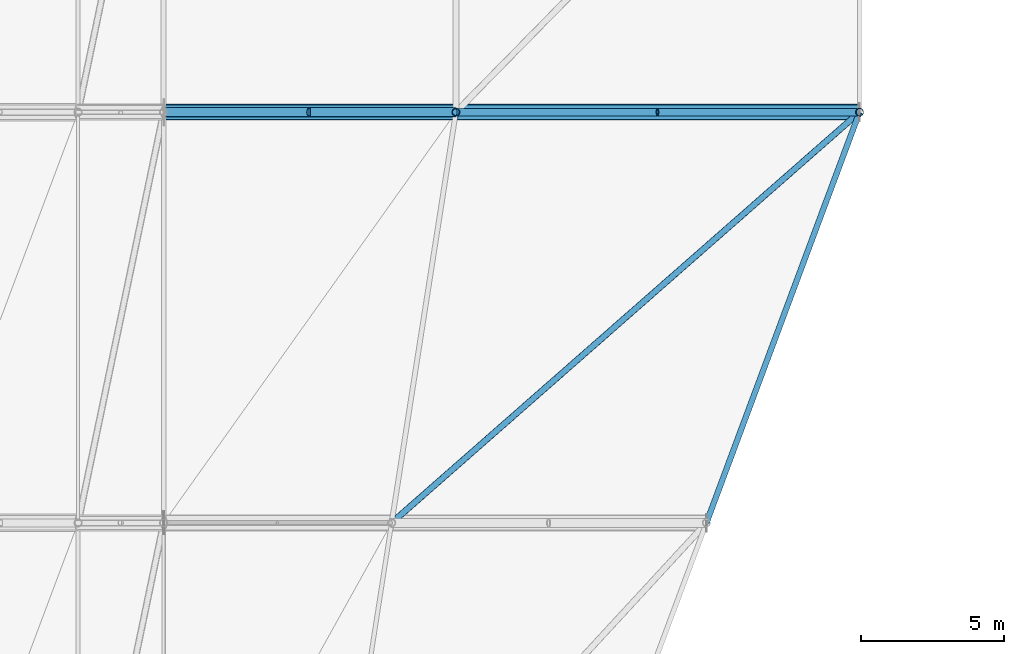
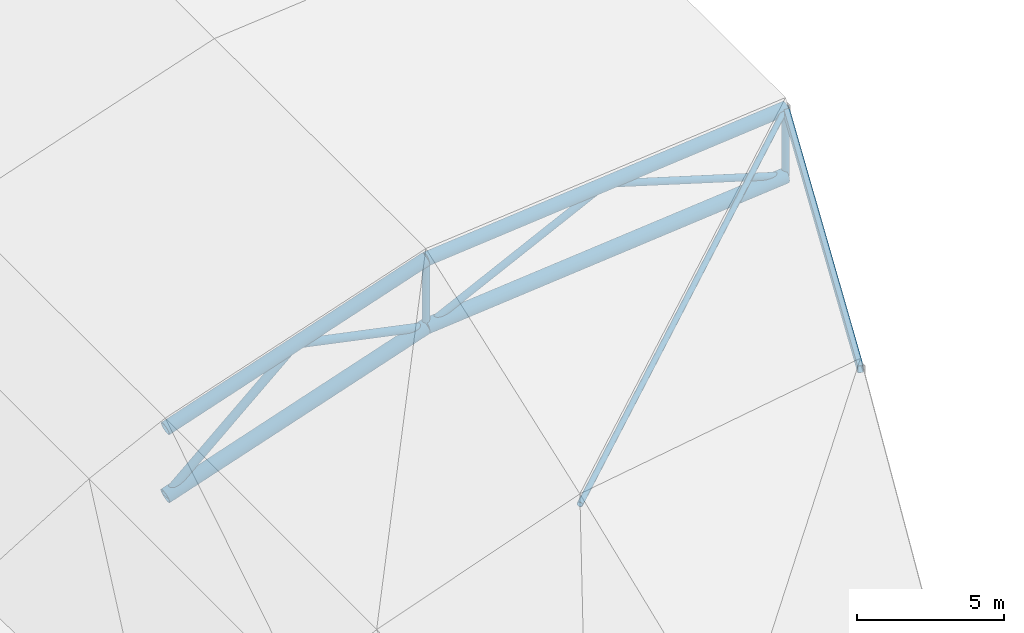
# One storey, part 5 of 36: 12 members.
"""IFC4 building model written with IfcOpenShell, lengths in metres."""

from ifc_helpers import new_model, si_unit, direction, frame, origin, origin_2d, place, context, subcontext, project, spatial, hollow_rectangle, hollow_circle, extrude, material, material_profile, profile_set, type_object, element, save


model = new_model("IFC4")

# Units and contexts
model_context = context("Model", 3, precision=1e-05, world=origin(), true_north=direction((0.0, 1.0)))
body_context = subcontext(model_context, "Body", "Model", "MODEL_VIEW")
ifc_project = project(units=[si_unit("LENGTHUNIT", "METRE"), si_unit("AREAUNIT", "SQUARE_METRE"), si_unit("VOLUMEUNIT", "CUBIC_METRE"), si_unit("PLANEANGLEUNIT", "RADIAN"), si_unit("MASSUNIT", "GRAM", prefix="KILO")], contexts=[model_context])

# Site, building, storey
site_placement = place(None, origin())
site = spatial("IfcSite", under=ifc_project, at=site_placement, CompositionType="ELEMENT")
building_placement = place(site_placement, origin())
building = spatial("IfcBuilding", under=site, at=building_placement, Name="Koshinbarg Plaza Stadium", CompositionType="ELEMENT")
storey_placement = place(building_placement, frame((0.0, 0.0, 34.199951171875)))
storey = spatial("IfcBuildingStorey", under=building, at=storey_placement, Name="RF", CompositionType="ELEMENT", Elevation=34.199951171875)

# Members
ifc_material = material(Name="Steel S355", Category="steel")
ifc_material_profile_1 = material_profile(ifc_material, hollow_circle(Radius=0.279541015625, WallThickness=0.022216796875, at=origin_2d()), Name="CHS 559x22.2")
ifc_profile_set_1 = profile_set([ifc_material_profile_1], Name="Steel S355")
member_type_1 = type_object("IfcMemberType", Name="MB-ARCH-BOT", PredefinedType="CHORD", material=ifc_profile_set_1)
member_1_placement = place(storey_placement, frame((54.60009765625, 54.300048828125, -0.0400390625), z_axis=(0.947427718422, 0.0, 0.319969871027), x_axis=(0.0, 1.0, 0.0)))
element("IfcMember", 1, at=member_1_placement, inside=storey, type_object=member_type_1, Name="Quarter-barrel roof truss bottom chord WRB-03-3", PredefinedType="CHORD", context=body_context, shape_type="SweptSolid", body=[
    extrude(hollow_circle(Radius=0.279541015625, WallThickness=0.022216796875, at=origin_2d()), origin(), (0.0, 0.0, 1.0), 10.81640625),
])
member_2_placement = place(storey_placement, frame((64.847900390625, 54.300048828125, 3.4208984375), z_axis=(0.995642851387, 0.0, 0.093248659413), x_axis=(0.0, 1.0, 0.0)))
element("IfcMember", 2, at=member_2_placement, inside=storey, type_object=member_type_1, Name="Quarter-barrel roof truss bottom chord WRB-03-4", PredefinedType="CHORD", context=body_context, shape_type="SweptSolid", body=[
    extrude(hollow_circle(Radius=0.279541015625, WallThickness=0.022216796875, at=origin_2d()), origin(), (0.0, 0.0, 1.0), 14.214111328125),
])
ifc_material_profile_2 = material_profile(ifc_material, hollow_circle(Radius=0.25390625, WallThickness=0.02001953125, at=origin_2d()), Name="CHS 508x20")
ifc_profile_set_2 = profile_set([ifc_material_profile_2], Name="Steel S355")
member_type_2 = type_object("IfcMemberType", Name="MB-ARCH-TOP", PredefinedType="CHORD", material=ifc_profile_set_2)
member_3_placement = place(storey_placement, frame((54.60009765625, 54.300048828125, 2.760009765625), z_axis=(0.947427718422, 0.0, 0.319969871027), x_axis=(0.0, 1.0, 0.0)))
element("IfcMember", 3, at=member_3_placement, inside=storey, type_object=member_type_2, Name="Quarter-barrel roof truss top chord WRB-03-3", PredefinedType="CHORD", context=body_context, shape_type="SweptSolid", body=[
    extrude(hollow_circle(Radius=0.25390625, WallThickness=0.02001953125, at=origin_2d()), origin(), (0.0, 0.0, 1.0), 10.81640625),
])
member_4_placement = place(storey_placement, frame((64.847900390625, 54.300048828125, 6.220947265625), z_axis=(0.995642851387, 0.0, 0.093248659413), x_axis=(0.0, 1.0, 0.0)))
element("IfcMember", 4, at=member_4_placement, inside=storey, type_object=member_type_2, Name="Quarter-barrel roof truss top chord WRB-03-4", PredefinedType="CHORD", context=body_context, shape_type="SweptSolid", body=[
    extrude(hollow_circle(Radius=0.25390625, WallThickness=0.02001953125, at=origin_2d()), origin(), (0.0, 0.0, 1.0), 14.214111328125),
])
ifc_material_profile_3 = material_profile(ifc_material, hollow_circle(Radius=0.161865234375, WallThickness=0.01416015625, at=origin_2d()), Name="CHS 323.9x14.2")
ifc_profile_set_3 = profile_set([ifc_material_profile_3], Name="Steel S355")
member_type_3 = type_object("IfcMemberType", Name="MB-BRACE-01", PredefinedType="BRACE", material=ifc_profile_set_3)
member_5_placement = place(storey_placement, frame((54.60009765625, 54.300048828125, -0.0400390625), z_axis=(0.749161416462, 0.0, 0.662387478811), x_axis=(0.0, 1.0, 0.0)))
element("IfcMember", 5, at=member_5_placement, inside=storey, type_object=member_type_3, Name="Quarter-barrel roof truss web diagonal WRB-03-3A", PredefinedType="BRACE", context=body_context, shape_type="SweptSolid", body=[
    extrude(hollow_circle(Radius=0.161865234375, WallThickness=0.01416015625, at=origin_2d()), origin(), (0.0, 0.0, 1.0), 6.839599609375),
])
member_6_placement = place(storey_placement, frame((59.72412109375, 54.300048828125, 4.490478515625), z_axis=(0.978899240734, 0.0, -0.20434352569), x_axis=(0.0, 1.0, 0.0)))
element("IfcMember", 6, at=member_6_placement, inside=storey, type_object=member_type_3, Name="Quarter-barrel roof truss web diagonal WRB-03-3B", PredefinedType="BRACE", context=body_context, shape_type="SweptSolid", body=[
    extrude(hollow_circle(Radius=0.161865234375, WallThickness=0.01416015625, at=origin_2d()), origin(), (0.0, 0.0, 1.0), 5.234130859375),
])
ifc_material_profile_4 = material_profile(ifc_material, hollow_circle(Radius=0.136474609375, WallThickness=0.012451171875, at=origin_2d()), Name="CHS 273x12.5")
ifc_profile_set_4 = profile_set([ifc_material_profile_4], Name="Steel S355")
member_type_4 = type_object("IfcMemberType", Name="MB-BRACE-02", PredefinedType="BRACE", material=ifc_profile_set_4)
member_7_placement = place(storey_placement, frame((64.847900390625, 54.300048828125, 3.4208984375), z_axis=(0.898224792069, 0.0, 0.439536372685), x_axis=(0.0, 1.0, 0.0)))
element("IfcMember", 7, at=member_7_placement, inside=storey, type_object=member_type_4, Name="Quarter-barrel roof truss web diagonal WRB-03-4A", PredefinedType="BRACE", context=body_context, shape_type="SweptSolid", body=[
    extrude(hollow_circle(Radius=0.136474609375, WallThickness=0.012451171875, at=origin_2d()), origin(), (0.0, 0.0, 1.0), 7.8779296875),
])
member_8_placement = place(storey_placement, frame((71.924072265625, 54.300048828125, 6.883544921875), z_axis=(0.957287355099, 0.0, -0.289138236433), x_axis=(0.0, 1.0, 0.0)))
element("IfcMember", 8, at=member_8_placement, inside=storey, type_object=member_type_4, Name="Quarter-barrel roof truss web diagonal WRB-03-4B", PredefinedType="BRACE", context=body_context, shape_type="SweptSolid", body=[
    extrude(hollow_circle(Radius=0.136474609375, WallThickness=0.012451171875, at=origin_2d()), origin(), (0.0, 0.0, 1.0), 7.3916015625),
])
for number, where, z_axis, x_axis, name in (
    (9, (64.847900390625, 54.300048828125, 3.4208984375), (0.0, 0.0, 1.0), (1.0, 0.0, 0.0), "Quarter-barrel roof truss post WRB-03-4"),
    (10, (79.0, 54.300048828125, 4.746337890625), (0.0, 0.0, 1.0), (1.0, 0.0, 0.0), "Quarter-barrel roof truss post WRB-03-5"),
):
    element("IfcMember", number, at=place(storey_placement, frame(where, z_axis=z_axis, x_axis=x_axis)), inside=storey, type_object=member_type_4, Name=name, PredefinedType="BRACE", context=body_context, shape_type="SweptSolid", body=[
        extrude(hollow_circle(Radius=0.136474609375, WallThickness=0.012451171875, at=origin_2d()), origin(), (0.0, 0.0, 1.0), 2.800048828125),
    ])
ifc_material_profile_5 = material_profile(ifc_material, hollow_circle(Radius=0.109619140625, WallThickness=0.010009765625, at=origin_2d()), Name="CHS 219.1x10")
ifc_profile_set_5 = profile_set([ifc_material_profile_5], Name="Steel S355")
member_type_5 = type_object("IfcMemberType", Name="MB-BRACE-03", PredefinedType="BRACE", material=ifc_profile_set_5)
member_9_placement = place(storey_placement, frame((62.593505859375, 39.89990234375, 5.542236328125), z_axis=(0.748418889634, 0.65689485822, 0.091423798232), x_axis=(-0.659657454031, 0.751566393169, 0.0)))
element("IfcMember", 11, at=member_9_placement, inside=storey, type_object=member_type_5, Name="Roof plan wind brace west bay 2.4", PredefinedType="BRACE", context=body_context, shape_type="SweptSolid", body=[
    extrude(hollow_circle(Radius=0.109619140625, WallThickness=0.010009765625, at=origin_2d()), origin(), (0.0, 0.0, 1.0), 21.921630859375),
])
ifc_material_profile_6 = material_profile(ifc_material, hollow_rectangle(XDim=0.199951171875, YDim=0.300048828125, WallThickness=0.012451171875, at=origin_2d()), Name="RHS 300x200x12.5")
ifc_profile_set_6 = profile_set([ifc_material_profile_6], Name="Steel S355")
member_type_6 = type_object("IfcMemberType", Name="MB-PURL-01", PredefinedType="PURLIN", material=ifc_profile_set_6)
member_10_placement = place(storey_placement, frame((73.632080078125, 39.89990234375, 7.29931640625), z_axis=(0.349251431951, 0.936912594295, 0.014772539761), x_axis=(-0.937014841279, 0.349289546398, 0.0)))
element("IfcMember", 12, at=member_10_placement, inside=storey, type_object=member_type_6, Name="Roof longitudinal purlin west bay 2.5", PredefinedType="PURLIN", context=body_context, shape_type="SweptSolid", body=[
    extrude(hollow_rectangle(XDim=0.199951171875, YDim=0.300048828125, WallThickness=0.012451171875, at=origin_2d()), origin(), (0.0, 0.0, 1.0), 15.369873046875),
])

save(model, "model.ifc")
